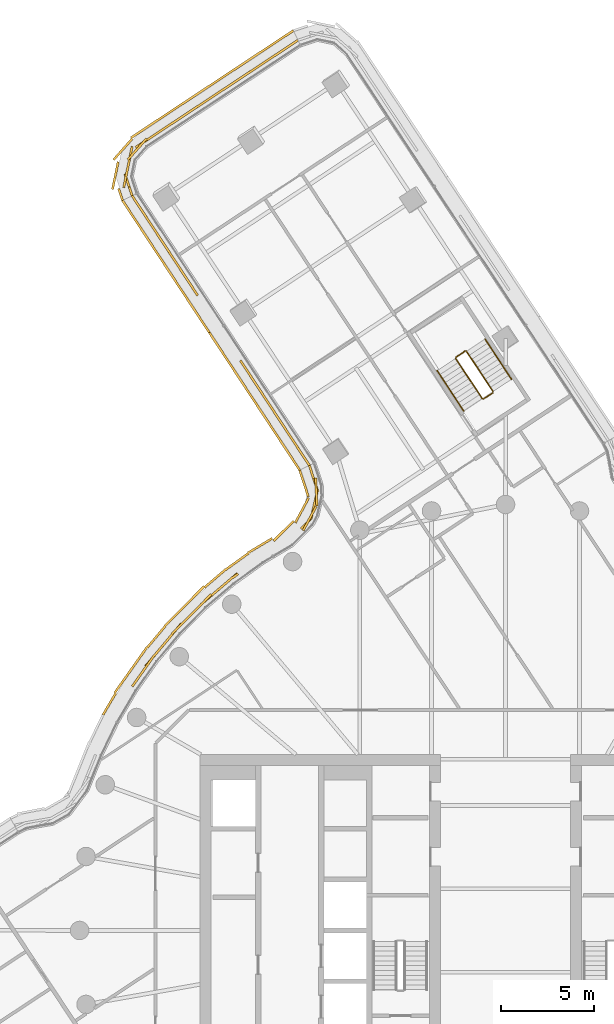
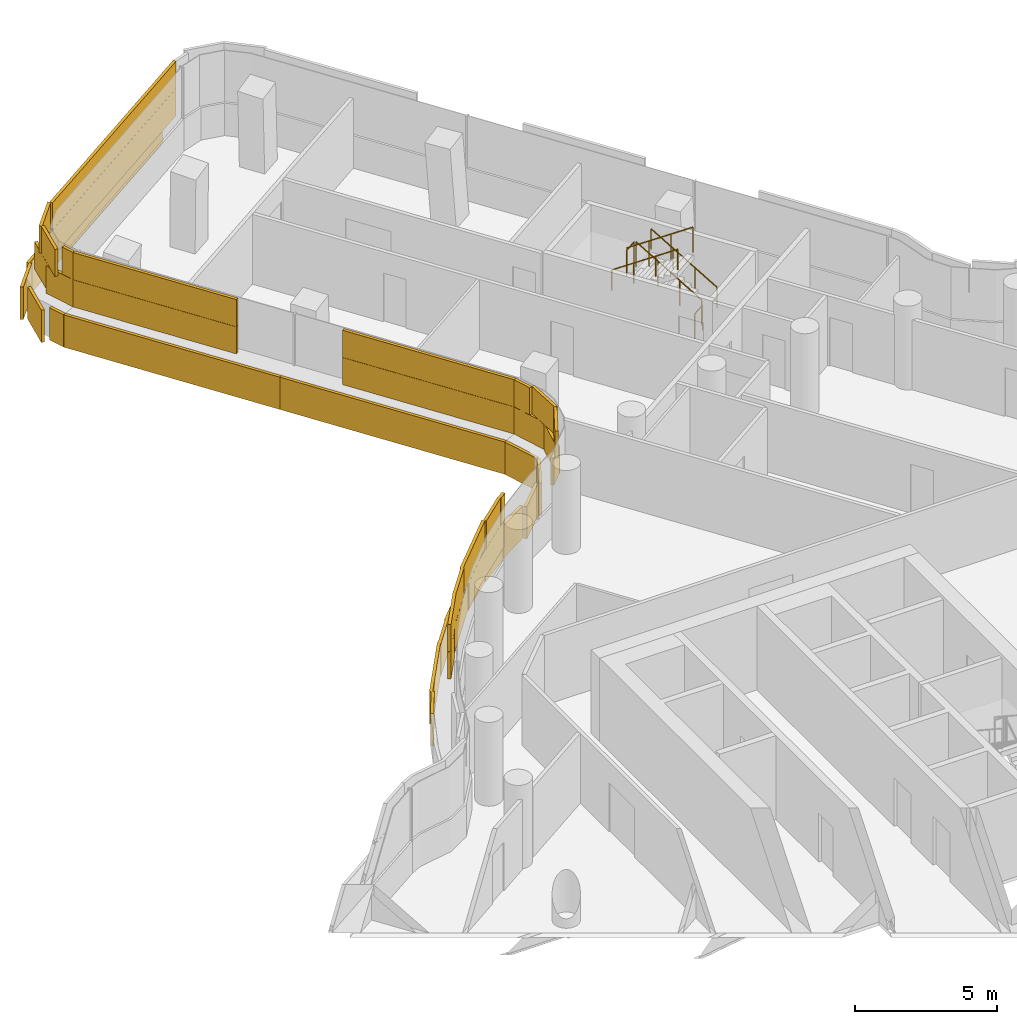
# One storey, part 34 of 35: 6 railings, 4 coverings.
"""IFC4 building model written with IfcOpenShell, lengths in metres."""

from ifc_helpers import new_model, si_unit, direction, frame, origin, origin_2d, place, context, subcontext, project, spatial, rectangle, circle, extrude, material, layer, layer_set, type_object, element, save


model = new_model("IFC4")

# Units and contexts
model_context = context("Model", 3, precision=1e-05, world=origin(), true_north=direction((0.0, 1.0)))
body_context = subcontext(model_context, "Body", "Model", "MODEL_VIEW")
ifc_project = project(units=[si_unit("LENGTHUNIT", "METRE"), si_unit("AREAUNIT", "SQUARE_METRE"), si_unit("VOLUMEUNIT", "CUBIC_METRE"), si_unit("PLANEANGLEUNIT", "RADIAN"), si_unit("MASSUNIT", "GRAM", prefix="KILO")], contexts=[model_context])

# Site, building, storey
site_placement = place(None, origin())
site = spatial("IfcSite", under=ifc_project, at=site_placement, CompositionType="ELEMENT")
building_placement = place(site_placement, origin())
building = spatial("IfcBuilding", under=site, at=building_placement, Name="Tamarind Cross Interchange Tower", CompositionType="ELEMENT")
storey_placement = place(building_placement, frame((0.0, 0.0, 155.5)))
storey = spatial("IfcBuildingStorey", under=building, at=storey_placement, Name="L38", CompositionType="ELEMENT", Elevation=155.5)

# Railings
ifc_material_1 = material(Name="Stair guard")
railing_type_1 = type_object("IfcRailingType", Name="Stair guard", PredefinedType="GUARDRAIL", material=ifc_material_1)
railing_1_placement = place(storey_placement, frame((-0.675537109375, 29.103271484375, 0.17041015625)))
element("IfcRailing", 1, at=railing_1_placement, inside=storey, type_object=railing_type_1, Name="L38 ST4 stair guard 1", PredefinedType="GUARDRAIL", context=body_context, shape_type="SweptSolid", body=[
    extrude(circle(Radius=0.02392578125, at=origin_2d()), frame((0.0, 0.0, 1.076171875), z_axis=(-0.460743527335, 0.697908254206, 0.548306000998), x_axis=(-0.834541188259, -0.550945555476, 0.0)), (0.0, 0.0, 1.0), 3.10888671875),
    extrude(circle(Radius=0.02099609375, at=origin_2d()), origin(), (0.0, 0.0, 1.0), 1.052001953125),
    extrude(circle(Radius=0.02099609375, at=origin_2d()), frame((-0.4775390625, 0.72314453125, 0.568115234375)), (0.0, 0.0, 1.0), 1.052001953125),
    extrude(circle(Radius=0.02099609375, at=origin_2d()), frame((-0.954833984375, 1.446533203125, 1.136474609375)), (0.0, 0.0, 1.0), 1.052001953125),
    extrude(circle(Radius=0.02099609375, at=origin_2d()), frame((-1.432373046875, 2.169677734375, 1.70458984375)), (0.0, 0.0, 1.0), 1.052001953125),
])
railing_2_placement = place(storey_placement, frame((-2.17724609375, 31.287109375, 1.875)))
element("IfcRailing", 2, at=railing_2_placement, inside=storey, type_object=railing_type_1, Name="L38 ST4 stair guard 2", PredefinedType="GUARDRAIL", context=body_context, shape_type="SweptSolid", body=[
    extrude(circle(Radius=0.02392578125, at=origin_2d()), frame((0.0, 0.0, 1.076171875), z_axis=(-0.834545798538, -0.550938572023, 0.0), x_axis=(0.550938572023, -0.834545798538, 0.0)), (0.0, 0.0, 1.0), 0.60009765625),
    extrude(circle(Radius=0.02099609375, at=origin_2d()), origin(), (0.0, 0.0, 1.0), 1.052001953125),
    extrude(circle(Radius=0.02099609375, at=origin_2d()), frame((-0.500732421875, -0.33056640625, 0.0)), (0.0, 0.0, 1.0), 1.052001953125),
])
railing_3_placement = place(storey_placement, frame((-2.692138671875, 30.887451171875, 2.04541015625)))
element("IfcRailing", 3, at=railing_3_placement, inside=storey, type_object=railing_type_1, Name="L38 ST4 stair guard 3", PredefinedType="GUARDRAIL", context=body_context, shape_type="SweptSolid", body=[
    extrude(circle(Radius=0.02392578125, at=origin_2d()), frame((0.0, 0.0, 1.076171875), z_axis=(0.460780131149, -0.697923279764, 0.548256113784), x_axis=(0.834526517484, 0.550967777294, 0.0)), (0.0, 0.0, 1.0), 3.109130859375),
    extrude(circle(Radius=0.02099609375, at=origin_2d()), origin(), (0.0, 0.0, 1.0), 1.052001953125),
    extrude(circle(Radius=0.02099609375, at=origin_2d()), frame((0.4775390625, -0.723388671875, 0.568115234375)), (0.0, 0.0, 1.0), 1.052001953125),
    extrude(circle(Radius=0.02099609375, at=origin_2d()), frame((0.955078125, -1.446533203125, 1.136474609375)), (0.0, 0.0, 1.0), 1.052001953125),
    extrude(circle(Radius=0.02099609375, at=origin_2d()), frame((1.4326171875, -2.169921875, 1.70458984375)), (0.0, 0.0, 1.0), 1.052001953125),
])
railing_4_placement = place(storey_placement, frame((-0.689697265625, 29.033935546875, 0.0)))
element("IfcRailing", 4, at=railing_4_placement, inside=storey, type_object=railing_type_1, Name="L38 ST4 stair guard 4", PredefinedType="GUARDRAIL", context=body_context, shape_type="SweptSolid", body=[
    extrude(circle(Radius=0.02392578125, at=origin_2d()), frame((0.0, 0.0, 1.076171875), z_axis=(-0.834545798538, -0.550938572023, 0.0), x_axis=(0.550938572023, -0.834545798538, 0.0)), (0.0, 0.0, 1.0), 0.60009765625),
    extrude(circle(Radius=0.02099609375, at=origin_2d()), origin(), (0.0, 0.0, 1.0), 1.052001953125),
    extrude(circle(Radius=0.02099609375, at=origin_2d()), frame((-0.500732421875, -0.33056640625, 0.0)), (0.0, 0.0, 1.0), 1.052001953125),
])
ifc_material_2 = material(Name="Stair handrail")
railing_type_2 = type_object("IfcRailingType", Name="Stair handrail", PredefinedType="HANDRAIL", material=ifc_material_2)
railing_5_placement = place(storey_placement, frame((0.325927734375, 29.764404296875, 0.17041015625)))
element("IfcRailing", 5, at=railing_5_placement, inside=storey, type_object=railing_type_2, Name="L38 ST4 stair handrail 1", PredefinedType="HANDRAIL", context=body_context, shape_type="SweptSolid", body=[
    extrude(circle(Radius=0.02392578125, at=origin_2d()), frame((0.0, 0.0, 0.8759765625), z_axis=(-0.460743527335, 0.697908254206, 0.548306000998), x_axis=(-0.834541188259, -0.550945555476, 0.0)), (0.0, 0.0, 1.0), 3.10888671875),
    extrude(circle(Radius=0.02099609375, at=origin_2d()), origin(), (0.0, 0.0, 1.0), 0.851806640625),
    extrude(circle(Radius=0.02099609375, at=origin_2d()), frame((-0.4775390625, 0.72314453125, 0.568115234375)), (0.0, 0.0, 1.0), 0.851806640625),
    extrude(circle(Radius=0.02099609375, at=origin_2d()), frame((-0.954833984375, 1.446533203125, 1.136474609375)), (0.0, 0.0, 1.0), 0.851806640625),
    extrude(circle(Radius=0.02099609375, at=origin_2d()), frame((-1.432373046875, 2.169677734375, 1.70458984375)), (0.0, 0.0, 1.0), 0.851806640625),
])
railing_6_placement = place(storey_placement, frame((-3.693603515625, 30.22607421875, 2.04541015625)))
element("IfcRailing", 6, at=railing_6_placement, inside=storey, type_object=railing_type_2, Name="L38 ST4 stair handrail 2", PredefinedType="HANDRAIL", context=body_context, shape_type="SweptSolid", body=[
    extrude(circle(Radius=0.02392578125, at=origin_2d()), frame((0.0, 0.0, 0.8759765625), z_axis=(0.460805384345, -0.697883001137, 0.548286161127), x_axis=(0.834498011269, 0.551010951967, 0.0)), (0.0, 0.0, 1.0), 3.10888671875),
    extrude(circle(Radius=0.02099609375, at=origin_2d()), origin(), (0.0, 0.0, 1.0), 0.851806640625),
    extrude(circle(Radius=0.02099609375, at=origin_2d()), frame((0.4775390625, -0.72314453125, 0.568115234375)), (0.0, 0.0, 1.0), 0.851806640625),
    extrude(circle(Radius=0.02099609375, at=origin_2d()), frame((0.955078125, -1.446533203125, 1.136474609375)), (0.0, 0.0, 1.0), 0.851806640625),
    extrude(circle(Radius=0.02099609375, at=origin_2d()), frame((1.4326171875, -2.169677734375, 1.70458984375)), (0.0, 0.0, 1.0), 0.851806640625),
])

# Coverings
ifc_material_3 = material(Name="Terracotta", Category="masonry")
ifc_layer = layer(ifc_material_3, 0.1201171875)
ifc_layer_set = layer_set([ifc_layer], Name="Terracotta")
covering_type = type_object("IfcCoveringType", Name="Terracotta baguette screen unit", PredefinedType="MOLDING", material=ifc_layer_set)
covering_1_placement = place(storey_placement, origin())
element("IfcCovering", 7, at=covering_1_placement, inside=storey, type_object=covering_type, Name="SCR-L38-00-00", PredefinedType="MOLDING", context=body_context, shape_type="SweptSolid", body=[
    extrude(rectangle(XDim=1.510009765625, YDim=0.1201171875, at=origin_2d()), frame((-11.831787109375, 47.65625, 1.404052734375), z_axis=(0.0, 0.0, 1.0), x_axis=(-0.834524900963, -0.550970225759, 0.0)), (0.0, 0.0, 1.0), 1.1669921875),
    extrude(rectangle(XDim=1.52001953125, YDim=0.1201171875, at=origin_2d()), frame((-13.083740234375, 46.829833984375, 1.404052734375), z_axis=(0.0, 0.0, 1.0), x_axis=(-0.834524900963, -0.550970225759, 0.0)), (0.0, 0.0, 1.0), 1.1669921875),
    extrude(rectangle(XDim=1.52001953125, YDim=0.1201171875, at=origin_2d()), frame((-14.33544921875, 46.00341796875, 1.404052734375), z_axis=(0.0, 0.0, 1.0), x_axis=(-0.834524900963, -0.550970225759, 0.0)), (0.0, 0.0, 1.0), 1.1669921875),
    extrude(rectangle(XDim=1.52001953125, YDim=0.1201171875, at=origin_2d()), frame((-15.587158203125, 45.1767578125, 1.404052734375), z_axis=(0.0, 0.0, 1.0), x_axis=(-0.834524900963, -0.550970225759, 0.0)), (0.0, 0.0, 1.0), 1.1669921875),
    extrude(rectangle(XDim=1.52001953125, YDim=0.1201171875, at=origin_2d()), frame((-16.8388671875, 44.350341796875, 1.404052734375), z_axis=(0.0, 0.0, 1.0), x_axis=(-0.834524900963, -0.550970225759, 0.0)), (0.0, 0.0, 1.0), 1.1669921875),
    extrude(rectangle(XDim=1.52001953125, YDim=0.1201171875, at=origin_2d()), frame((-18.0908203125, 43.52392578125, 1.404052734375), z_axis=(0.0, 0.0, 1.0), x_axis=(-0.834524900963, -0.550970225759, 0.0)), (0.0, 0.0, 1.0), 1.1669921875),
    extrude(rectangle(XDim=1.52001953125, YDim=0.1201171875, at=origin_2d()), frame((-19.342529296875, 42.697509765625, 1.404052734375), z_axis=(0.0, 0.0, 1.0), x_axis=(-0.834524900963, -0.550970225759, 0.0)), (0.0, 0.0, 1.0), 1.1669921875),
    extrude(rectangle(XDim=1.52001953125, YDim=0.1201171875, at=origin_2d()), frame((-20.312744140625, 41.59326171875, 1.404052734375), z_axis=(0.0, 0.0, 1.0), x_axis=(-0.200503433674, -0.979692999406, 0.0)), (0.0, 0.0, 1.0), 1.1669921875),
    extrude(rectangle(XDim=1.259521484375, YDim=0.1201171875, at=origin_2d()), frame((-20.35791015625, 40.26025390625, 1.404052734375), z_axis=(0.0, 0.0, 1.0), x_axis=(0.316205432595, -0.948690742232, 0.0)), (0.0, 0.0, 1.0), 1.1669921875),
    extrude(rectangle(XDim=0.760009765625, YDim=0.1201171875, at=origin_2d()), frame((-11.518798828125, 47.86279296875, 2.5791015625), z_axis=(0.0, 0.0, 1.0), x_axis=(-0.834524900963, -0.550970225759, 0.0)), (0.0, 0.0, 1.0), 1.1669921875),
    extrude(rectangle(XDim=1.52001953125, YDim=0.1201171875, at=origin_2d()), frame((-12.457763671875, 47.242919921875, 2.5791015625), z_axis=(0.0, 0.0, 1.0), x_axis=(-0.834524900963, -0.550970225759, 0.0)), (0.0, 0.0, 1.0), 1.1669921875),
    extrude(rectangle(XDim=1.52001953125, YDim=0.1201171875, at=origin_2d()), frame((-13.70947265625, 46.41650390625, 2.5791015625), z_axis=(0.0, 0.0, 1.0), x_axis=(-0.834524900963, -0.550970225759, 0.0)), (0.0, 0.0, 1.0), 1.1669921875),
    extrude(rectangle(XDim=1.52001953125, YDim=0.1201171875, at=origin_2d()), frame((-14.96142578125, 45.590087890625, 2.5791015625), z_axis=(0.0, 0.0, 1.0), x_axis=(-0.834524900963, -0.550970225759, 0.0)), (0.0, 0.0, 1.0), 1.1669921875),
    extrude(rectangle(XDim=1.52001953125, YDim=0.1201171875, at=origin_2d()), frame((-16.213134765625, 44.763671875, 2.5791015625), z_axis=(0.0, 0.0, 1.0), x_axis=(-0.834524900963, -0.550970225759, 0.0)), (0.0, 0.0, 1.0), 1.1669921875),
    extrude(rectangle(XDim=1.52001953125, YDim=0.1201171875, at=origin_2d()), frame((-17.46484375, 43.937255859375, 2.5791015625), z_axis=(0.0, 0.0, 1.0), x_axis=(-0.834524900963, -0.550970225759, 0.0)), (0.0, 0.0, 1.0), 1.1669921875),
    extrude(rectangle(XDim=1.52001953125, YDim=0.1201171875, at=origin_2d()), frame((-18.716552734375, 43.110595703125, 2.5791015625), z_axis=(0.0, 0.0, 1.0), x_axis=(-0.834524900963, -0.550970225759, 0.0)), (0.0, 0.0, 1.0), 1.1669921875),
    extrude(rectangle(XDim=1.52001953125, YDim=0.1201171875, at=origin_2d()), frame((-19.886962890625, 42.1904296875, 2.5791015625), z_axis=(0.0, 0.0, 1.0), x_axis=(-0.663487566811, -0.748187308558, 0.0)), (0.0, 0.0, 1.0), 1.1669921875),
    extrude(rectangle(XDim=1.52001953125, YDim=0.1201171875, at=origin_2d()), frame((-20.463134765625, 40.8583984375, 2.5791015625), z_axis=(0.0, 0.0, 1.0), x_axis=(-0.200503433674, -0.979692999406, 0.0)), (0.0, 0.0, 1.0), 1.1669921875),
    extrude(rectangle(XDim=0.509521484375, YDim=0.1201171875, at=origin_2d()), frame((-20.2392578125, 39.904541015625, 2.5791015625), z_axis=(0.0, 0.0, 1.0), x_axis=(0.316205432595, -0.948690742232, 0.0)), (0.0, 0.0, 1.0), 1.1669921875),
    extrude(rectangle(XDim=1.510009765625, YDim=0.1201171875, at=origin_2d()), frame((-12.089111328125, 48.174072265625, 0.00390625), z_axis=(0.0, 0.0, 1.0), x_axis=(-0.834524900963, -0.550970225759, 0.0)), (0.0, 0.0, 1.0), 1.39208984375),
    extrude(rectangle(XDim=1.52001953125, YDim=0.1201171875, at=origin_2d()), frame((-13.3369140625, 47.350341796875, 0.00390625), z_axis=(0.0, 0.0, 1.0), x_axis=(-0.834524900963, -0.550970225759, 0.0)), (0.0, 0.0, 1.0), 1.39208984375),
    extrude(rectangle(XDim=1.52001953125, YDim=0.1201171875, at=origin_2d()), frame((-14.588623046875, 46.52392578125, 0.00390625), z_axis=(0.0, 0.0, 1.0), x_axis=(-0.834524900963, -0.550970225759, 0.0)), (0.0, 0.0, 1.0), 1.39208984375),
    extrude(rectangle(XDim=1.52001953125, YDim=0.1201171875, at=origin_2d()), frame((-15.84033203125, 45.697509765625, 0.00390625), z_axis=(0.0, 0.0, 1.0), x_axis=(-0.834524900963, -0.550970225759, 0.0)), (0.0, 0.0, 1.0), 1.39208984375),
    extrude(rectangle(XDim=1.52001953125, YDim=0.1201171875, at=origin_2d()), frame((-17.09228515625, 44.87109375, 0.00390625), z_axis=(0.0, 0.0, 1.0), x_axis=(-0.834524900963, -0.550970225759, 0.0)), (0.0, 0.0, 1.0), 1.39208984375),
    extrude(rectangle(XDim=1.52001953125, YDim=0.1201171875, at=origin_2d()), frame((-18.343994140625, 44.044677734375, 0.00390625), z_axis=(0.0, 0.0, 1.0), x_axis=(-0.834524900963, -0.550970225759, 0.0)), (0.0, 0.0, 1.0), 1.39208984375),
    extrude(rectangle(XDim=1.52001953125, YDim=0.1201171875, at=origin_2d()), frame((-19.595703125, 43.218017578125, 0.00390625), z_axis=(0.0, 0.0, 1.0), x_axis=(-0.834524900963, -0.550970225759, 0.0)), (0.0, 0.0, 1.0), 1.39208984375),
    extrude(rectangle(XDim=1.52001953125, YDim=0.1201171875, at=origin_2d()), frame((-20.66357421875, 42.1796875, 0.00390625), z_axis=(0.0, 0.0, 1.0), x_axis=(-0.663487566811, -0.748187308558, 0.0)), (0.0, 0.0, 1.0), 1.39208984375),
    extrude(rectangle(XDim=1.52001953125, YDim=0.1201171875, at=origin_2d()), frame((-21.06884765625, 40.76220703125, 0.00390625), z_axis=(0.0, 0.0, 1.0), x_axis=(-0.200503433674, -0.979692999406, 0.0)), (0.0, 0.0, 1.0), 1.39208984375),
    extrude(rectangle(XDim=0.676513671875, YDim=0.1201171875, at=origin_2d()), frame((-20.7880859375, 39.73583984375, 0.00390625), z_axis=(0.0, 0.0, 1.0), x_axis=(0.316205432595, -0.948690742232, 0.0)), (0.0, 0.0, 1.0), 1.39208984375),
])
covering_2_placement = place(storey_placement, origin())
element("IfcCovering", 8, at=covering_2_placement, inside=storey, type_object=covering_type, Name="SCR-L38-01-00", PredefinedType="MOLDING", context=body_context, shape_type="SweptSolid", body=[
    extrude(rectangle(XDim=1.510009765625, YDim=0.1201171875, at=origin_2d()), frame((-19.748291015625, 39.040771484375, 1.404052734375), z_axis=(0.0, 0.0, 1.0), x_axis=(0.549247742562, -0.835659570214, 0.0)), (0.0, 0.0, 1.0), 1.1669921875),
    extrude(rectangle(XDim=1.52001953125, YDim=0.1201171875, at=origin_2d()), frame((-18.924560546875, 37.787353515625, 1.404052734375), z_axis=(0.0, 0.0, 1.0), x_axis=(0.549247742562, -0.835659570214, 0.0)), (0.0, 0.0, 1.0), 1.1669921875),
    extrude(rectangle(XDim=1.52001953125, YDim=0.1201171875, at=origin_2d()), frame((-18.1005859375, 36.53369140625, 1.404052734375), z_axis=(0.0, 0.0, 1.0), x_axis=(0.549247742562, -0.835659570214, 0.0)), (0.0, 0.0, 1.0), 1.1669921875),
    extrude(rectangle(XDim=1.52001953125, YDim=0.1201171875, at=origin_2d()), frame((-17.276611328125, 35.2802734375, 1.404052734375), z_axis=(0.0, 0.0, 1.0), x_axis=(0.549247742562, -0.835659570214, 0.0)), (0.0, 0.0, 1.0), 1.1669921875),
    extrude(rectangle(XDim=0.449462890625, YDim=0.1201171875, at=origin_2d()), frame((-16.744140625, 34.469970703125, 1.404052734375), z_axis=(0.0, 0.0, 1.0), x_axis=(0.549247742562, -0.835659570214, 0.0)), (0.0, 0.0, 1.0), 1.1669921875),
    extrude(rectangle(XDim=0.760009765625, YDim=0.1201171875, at=origin_2d()), frame((-19.954345703125, 39.354248046875, 2.5791015625), z_axis=(0.0, 0.0, 1.0), x_axis=(0.549247742562, -0.835659570214, 0.0)), (0.0, 0.0, 1.0), 1.1669921875),
    extrude(rectangle(XDim=1.52001953125, YDim=0.1201171875, at=origin_2d()), frame((-19.33642578125, 38.4140625, 2.5791015625), z_axis=(0.0, 0.0, 1.0), x_axis=(0.549247742562, -0.835659570214, 0.0)), (0.0, 0.0, 1.0), 1.1669921875),
    extrude(rectangle(XDim=1.52001953125, YDim=0.1201171875, at=origin_2d()), frame((-18.512451171875, 37.16064453125, 2.5791015625), z_axis=(0.0, 0.0, 1.0), x_axis=(0.549247742562, -0.835659570214, 0.0)), (0.0, 0.0, 1.0), 1.1669921875),
    extrude(rectangle(XDim=1.52001953125, YDim=0.1201171875, at=origin_2d()), frame((-17.688720703125, 35.906982421875, 2.5791015625), z_axis=(0.0, 0.0, 1.0), x_axis=(0.549247742562, -0.835659570214, 0.0)), (0.0, 0.0, 1.0), 1.1669921875),
    extrude(rectangle(XDim=1.199462890625, YDim=0.1201171875, at=origin_2d()), frame((-16.949951171875, 34.783203125, 2.5791015625), z_axis=(0.0, 0.0, 1.0), x_axis=(0.549247742562, -0.835659570214, 0.0)), (0.0, 0.0, 1.0), 1.1669921875),
    extrude(rectangle(XDim=1.510009765625, YDim=0.1201171875, at=origin_2d()), frame((-20.266357421875, 38.783935546875, 0.00390625), z_axis=(0.0, 0.0, 1.0), x_axis=(0.549247742562, -0.835659570214, 0.0)), (0.0, 0.0, 1.0), 1.39208984375),
    extrude(rectangle(XDim=1.52001953125, YDim=0.1201171875, at=origin_2d()), frame((-19.4453125, 37.53466796875, 0.00390625), z_axis=(0.0, 0.0, 1.0), x_axis=(0.549247742562, -0.835659570214, 0.0)), (0.0, 0.0, 1.0), 1.39208984375),
    extrude(rectangle(XDim=1.52001953125, YDim=0.1201171875, at=origin_2d()), frame((-18.621337890625, 36.28125, 0.00390625), z_axis=(0.0, 0.0, 1.0), x_axis=(0.549247742562, -0.835659570214, 0.0)), (0.0, 0.0, 1.0), 1.39208984375),
    extrude(rectangle(XDim=1.52001953125, YDim=0.1201171875, at=origin_2d()), frame((-17.797607421875, 35.027587890625, 0.00390625), z_axis=(0.0, 0.0, 1.0), x_axis=(0.549247742562, -0.835659570214, 0.0)), (0.0, 0.0, 1.0), 1.39208984375),
    extrude(rectangle(XDim=1.52001953125, YDim=0.1201171875, at=origin_2d()), frame((-16.9736328125, 33.774169921875, 0.00390625), z_axis=(0.0, 0.0, 1.0), x_axis=(0.549247742562, -0.835659570214, 0.0)), (0.0, 0.0, 1.0), 1.39208984375),
    extrude(rectangle(XDim=1.04833984375, YDim=0.1201171875, at=origin_2d()), frame((-16.279296875, 32.7177734375, 0.00390625), z_axis=(0.0, 0.0, 1.0), x_axis=(0.549247742562, -0.835659570214, 0.0)), (0.0, 0.0, 1.0), 1.39208984375),
])
covering_3_placement = place(storey_placement, origin())
element("IfcCovering", 9, at=covering_3_placement, inside=storey, type_object=covering_type, Name="SCR-L38-01-01", PredefinedType="MOLDING", context=body_context, shape_type="SweptSolid", body=[
    extrude(rectangle(XDim=1.370361328125, YDim=0.1201171875, at=origin_2d()), frame((-13.94287109375, 30.2080078125, 1.404052734375), z_axis=(0.0, 0.0, 1.0), x_axis=(0.549247742562, -0.835659570214, 0.0)), (0.0, 0.0, 1.0), 1.1669921875),
    extrude(rectangle(XDim=1.52001953125, YDim=0.1201171875, at=origin_2d()), frame((-13.157470703125, 29.012939453125, 1.404052734375), z_axis=(0.0, 0.0, 1.0), x_axis=(0.549247742562, -0.835659570214, 0.0)), (0.0, 0.0, 1.0), 1.1669921875),
    extrude(rectangle(XDim=1.52001953125, YDim=0.1201171875, at=origin_2d()), frame((-12.33349609375, 27.75927734375, 1.404052734375), z_axis=(0.0, 0.0, 1.0), x_axis=(0.549247742562, -0.835659570214, 0.0)), (0.0, 0.0, 1.0), 1.1669921875),
    extrude(rectangle(XDim=1.52001953125, YDim=0.1201171875, at=origin_2d()), frame((-11.509521484375, 26.505859375, 1.404052734375), z_axis=(0.0, 0.0, 1.0), x_axis=(0.549247742562, -0.835659570214, 0.0)), (0.0, 0.0, 1.0), 1.1669921875),
    extrude(rectangle(XDim=0.9287109375, YDim=0.1201171875, at=origin_2d()), frame((-10.845458984375, 25.4951171875, 1.404052734375), z_axis=(0.0, 0.0, 1.0), x_axis=(0.549247742562, -0.835659570214, 0.0)), (0.0, 0.0, 1.0), 1.1669921875),
    extrude(rectangle(XDim=0.620361328125, YDim=0.1201171875, at=origin_2d()), frame((-14.14892578125, 30.521484375, 2.5791015625), z_axis=(0.0, 0.0, 1.0), x_axis=(0.549247742562, -0.835659570214, 0.0)), (0.0, 0.0, 1.0), 1.1669921875),
    extrude(rectangle(XDim=1.52001953125, YDim=0.1201171875, at=origin_2d()), frame((-13.5693359375, 29.6396484375, 2.5791015625), z_axis=(0.0, 0.0, 1.0), x_axis=(0.549247742562, -0.835659570214, 0.0)), (0.0, 0.0, 1.0), 1.1669921875),
    extrude(rectangle(XDim=1.52001953125, YDim=0.1201171875, at=origin_2d()), frame((-12.745361328125, 28.385986328125, 2.5791015625), z_axis=(0.0, 0.0, 1.0), x_axis=(0.549247742562, -0.835659570214, 0.0)), (0.0, 0.0, 1.0), 1.1669921875),
    extrude(rectangle(XDim=1.52001953125, YDim=0.1201171875, at=origin_2d()), frame((-11.921630859375, 27.132568359375, 2.5791015625), z_axis=(0.0, 0.0, 1.0), x_axis=(0.549247742562, -0.835659570214, 0.0)), (0.0, 0.0, 1.0), 1.1669921875),
    extrude(rectangle(XDim=1.52001953125, YDim=0.1201171875, at=origin_2d()), frame((-11.09765625, 25.879150390625, 2.5791015625), z_axis=(0.0, 0.0, 1.0), x_axis=(0.549247742562, -0.835659570214, 0.0)), (0.0, 0.0, 1.0), 1.1669921875),
    extrude(rectangle(XDim=0.1787109375, YDim=0.1201171875, at=origin_2d()), frame((-10.639404296875, 25.181884765625, 2.5791015625), z_axis=(0.0, 0.0, 1.0), x_axis=(0.549247742562, -0.835659570214, 0.0)), (0.0, 0.0, 1.0), 1.1669921875),
    extrude(rectangle(XDim=0.4716796875, YDim=0.1201171875, at=origin_2d()), frame((-15.86181640625, 32.08251953125, 0.00390625), z_axis=(0.0, 0.0, 1.0), x_axis=(0.549247742562, -0.835659570214, 0.0)), (0.0, 0.0, 1.0), 1.39208984375),
    extrude(rectangle(XDim=1.52001953125, YDim=0.1201171875, at=origin_2d()), frame((-15.325927734375, 31.26708984375, 0.00390625), z_axis=(0.0, 0.0, 1.0), x_axis=(0.549247742562, -0.835659570214, 0.0)), (0.0, 0.0, 1.0), 1.39208984375),
    extrude(rectangle(XDim=1.52001953125, YDim=0.1201171875, at=origin_2d()), frame((-14.501953125, 30.013671875, 0.00390625), z_axis=(0.0, 0.0, 1.0), x_axis=(0.549247742562, -0.835659570214, 0.0)), (0.0, 0.0, 1.0), 1.39208984375),
    extrude(rectangle(XDim=1.52001953125, YDim=0.1201171875, at=origin_2d()), frame((-13.67822265625, 28.76025390625, 0.00390625), z_axis=(0.0, 0.0, 1.0), x_axis=(0.549247742562, -0.835659570214, 0.0)), (0.0, 0.0, 1.0), 1.39208984375),
    extrude(rectangle(XDim=1.52001953125, YDim=0.1201171875, at=origin_2d()), frame((-12.854248046875, 27.5068359375, 0.00390625), z_axis=(0.0, 0.0, 1.0), x_axis=(0.549247742562, -0.835659570214, 0.0)), (0.0, 0.0, 1.0), 1.39208984375),
    extrude(rectangle(XDim=1.52001953125, YDim=0.1201171875, at=origin_2d()), frame((-12.030517578125, 26.253173828125, 0.00390625), z_axis=(0.0, 0.0, 1.0), x_axis=(0.549247742562, -0.835659570214, 0.0)), (0.0, 0.0, 1.0), 1.39208984375),
    extrude(rectangle(XDim=0.926513671875, YDim=0.1201171875, at=origin_2d()), frame((-11.36962890625, 25.247802734375, 0.00390625), z_axis=(0.0, 0.0, 1.0), x_axis=(0.549247742562, -0.835659570214, 0.0)), (0.0, 0.0, 1.0), 1.39208984375),
])
covering_4_placement = place(storey_placement, origin())
element("IfcCovering", 10, at=covering_4_placement, inside=storey, type_object=covering_type, Name="SCR-L38-02-00", PredefinedType="MOLDING", context=body_context, shape_type="SweptSolid", body=[
    extrude(rectangle(XDim=1.510009765625, YDim=0.1201171875, at=origin_2d()), frame((-10.361328125, 24.39794921875, 1.404052734375), z_axis=(0.0, 0.0, 1.0), x_axis=(0.308899342484, -0.951094735667, 0.0)), (0.0, 0.0, 1.0), 1.1669921875),
    extrude(rectangle(XDim=1.52001953125, YDim=0.1201171875, at=origin_2d()), frame((-10.3408203125, 22.93359375, 1.404052734375), z_axis=(0.0, 0.0, 1.0), x_axis=(-0.22305383759, -0.974806127154, 0.0)), (0.0, 0.0, 1.0), 1.1669921875),
    extrude(rectangle(XDim=0.72705078125, YDim=0.1201171875, at=origin_2d()), frame((-10.79345703125, 21.944580078125, 1.404052734375), z_axis=(0.0, 0.0, 1.0), x_axis=(-0.709362098763, -0.704844247219, 0.0)), (0.0, 0.0, 1.0), 1.1669921875),
    extrude(rectangle(XDim=1.093017578125, YDim=0.1201171875, at=origin_2d()), frame((-14.88427734375, 18.93603515625, 1.404052734375), z_axis=(0.0, 0.0, 1.0), x_axis=(-0.760295606781, -0.64957723968, 0.0)), (0.0, 0.0, 1.0), 1.1669921875),
    extrude(rectangle(XDim=1.52001953125, YDim=0.1201171875, at=origin_2d()), frame((-15.8662109375, 18.096923828125, 1.404052734375), z_axis=(0.0, 0.0, 1.0), x_axis=(-0.760295606781, -0.64957723968, 0.0)), (0.0, 0.0, 1.0), 1.1669921875),
    extrude(rectangle(XDim=1.52001953125, YDim=0.1201171875, at=origin_2d()), frame((-16.9609375, 17.073486328125, 1.404052734375), z_axis=(0.0, 0.0, 1.0), x_axis=(-0.704057148523, -0.710143317658, 0.0)), (0.0, 0.0, 1.0), 1.1669921875),
    extrude(rectangle(XDim=1.52001953125, YDim=0.1201171875, at=origin_2d()), frame((-17.99755859375, 15.990234375, 1.404052734375), z_axis=(0.0, 0.0, 1.0), x_axis=(-0.643009266048, -0.765858396687, 0.0)), (0.0, 0.0, 1.0), 1.1669921875),
    extrude(rectangle(XDim=1.52001953125, YDim=0.1201171875, at=origin_2d()), frame((-18.9619140625, 14.841552734375, 1.404052734375), z_axis=(0.0, 0.0, 1.0), x_axis=(-0.643009266048, -0.765858396687, 0.0)), (0.0, 0.0, 1.0), 1.1669921875),
    extrude(rectangle(XDim=1.308837890625, YDim=0.1201171875, at=origin_2d()), frame((-19.78125, 13.70751953125, 1.404052734375), z_axis=(0.0, 0.0, 1.0), x_axis=(-0.577568978284, -0.816341886298, 0.0)), (0.0, 0.0, 1.0), 1.1669921875),
    extrude(rectangle(XDim=0.760009765625, YDim=0.1201171875, at=origin_2d()), frame((-10.477294921875, 24.754638671875, 2.5791015625), z_axis=(0.0, 0.0, 1.0), x_axis=(0.308899342484, -0.951094735667, 0.0)), (0.0, 0.0, 1.0), 1.1669921875),
    extrude(rectangle(XDim=1.52001953125, YDim=0.1201171875, at=origin_2d()), frame((-10.2177734375, 23.668701171875, 2.5791015625), z_axis=(0.0, 0.0, 1.0), x_axis=(0.044529992122, -0.999008047916, 0.0)), (0.0, 0.0, 1.0), 1.1669921875),
    extrude(rectangle(XDim=1.47705078125, YDim=0.1201171875, at=origin_2d()), frame((-10.57666015625, 22.245849609375, 2.5791015625), z_axis=(0.0, 0.0, 1.0), x_axis=(-0.474536115864, -0.880236033539, 0.0)), (0.0, 0.0, 1.0), 1.1669921875),
    extrude(rectangle(XDim=0.343017578125, YDim=0.1201171875, at=origin_2d()), frame((-14.580810546875, 19.156005859375, 2.5791015625), z_axis=(0.0, 0.0, 1.0), x_axis=(-0.811340475102, -0.584573890505, 0.0)), (0.0, 0.0, 1.0), 1.1669921875),
    extrude(rectangle(XDim=1.52001953125, YDim=0.1201171875, at=origin_2d()), frame((-15.296142578125, 18.584228515625, 2.5791015625), z_axis=(0.0, 0.0, 1.0), x_axis=(-0.760295606781, -0.64957723968, 0.0)), (0.0, 0.0, 1.0), 1.1669921875),
    extrude(rectangle(XDim=1.52001953125, YDim=0.1201171875, at=origin_2d()), frame((-16.43310546875, 17.60595703125, 2.5791015625), z_axis=(0.0, 0.0, 1.0), x_axis=(-0.704057148523, -0.710143317658, 0.0)), (0.0, 0.0, 1.0), 1.1669921875),
    extrude(rectangle(XDim=1.52001953125, YDim=0.1201171875, at=origin_2d()), frame((-17.489013671875, 16.540771484375, 2.5791015625), z_axis=(0.0, 0.0, 1.0), x_axis=(-0.704057148523, -0.710143317658, 0.0)), (0.0, 0.0, 1.0), 1.1669921875),
    extrude(rectangle(XDim=1.52001953125, YDim=0.1201171875, at=origin_2d()), frame((-18.479736328125, 15.416015625, 2.5791015625), z_axis=(0.0, 0.0, 1.0), x_axis=(-0.643009266048, -0.765858396687, 0.0)), (0.0, 0.0, 1.0), 1.1669921875),
    extrude(rectangle(XDim=1.52001953125, YDim=0.1201171875, at=origin_2d()), frame((-19.40625, 14.23779296875, 2.5791015625), z_axis=(0.0, 0.0, 1.0), x_axis=(-0.577568978284, -0.816341886298, 0.0)), (0.0, 0.0, 1.0), 1.1669921875),
    extrude(rectangle(XDim=0.558837890625, YDim=0.1201171875, at=origin_2d()), frame((-19.998046875, 13.4013671875, 2.5791015625), z_axis=(0.0, 0.0, 1.0), x_axis=(-0.577568978284, -0.816341886298, 0.0)), (0.0, 0.0, 1.0), 1.1669921875),
    extrude(rectangle(XDim=1.510009765625, YDim=0.1201171875, at=origin_2d()), frame((-10.8818359375, 24.142578125, 0.00390625), z_axis=(0.0, 0.0, 1.0), x_axis=(0.308899342484, -0.951094735667, 0.0)), (0.0, 0.0, 1.0), 1.39208984375),
    extrude(rectangle(XDim=1.52001953125, YDim=0.1201171875, at=origin_2d()), frame((-10.991943359375, 22.684814453125, 0.00390625), z_axis=(0.0, 0.0, 1.0), x_axis=(-0.474536115864, -0.880236033539, 0.0)), (0.0, 0.0, 1.0), 1.39208984375),
    extrude(rectangle(XDim=1.52001953125, YDim=0.1201171875, at=origin_2d()), frame((-11.982421875, 21.572509765625, 0.00390625), z_axis=(0.0, 0.0, 1.0), x_axis=(-0.709362098763, -0.704844247219, 0.0)), (0.0, 0.0, 1.0), 1.39208984375),
    extrude(rectangle(XDim=1.52001953125, YDim=0.1201171875, at=origin_2d()), frame((-13.253662109375, 20.78125, 0.00390625), z_axis=(0.0, 0.0, 1.0), x_axis=(-0.856667033085, -0.5158697456, 0.0)), (0.0, 0.0, 1.0), 1.39208984375),
    extrude(rectangle(XDim=1.52001953125, YDim=0.1201171875, at=origin_2d()), frame((-14.48779296875, 19.930419921875, 0.00390625), z_axis=(0.0, 0.0, 1.0), x_axis=(-0.811340475102, -0.584573890505, 0.0)), (0.0, 0.0, 1.0), 1.39208984375),
    extrude(rectangle(XDim=1.52001953125, YDim=0.1201171875, at=origin_2d()), frame((-15.675048828125, 19.015380859375, 0.00390625), z_axis=(0.0, 0.0, 1.0), x_axis=(-0.760295606781, -0.64957723968, 0.0)), (0.0, 0.0, 1.0), 1.39208984375),
    extrude(rectangle(XDim=1.52001953125, YDim=0.1201171875, at=origin_2d()), frame((-16.812744140625, 18.038330078125, 0.00390625), z_axis=(0.0, 0.0, 1.0), x_axis=(-0.704057148523, -0.710143317658, 0.0)), (0.0, 0.0, 1.0), 1.39208984375),
    extrude(rectangle(XDim=1.52001953125, YDim=0.1201171875, at=origin_2d()), frame((-17.868896484375, 16.97314453125, 0.00390625), z_axis=(0.0, 0.0, 1.0), x_axis=(-0.704057148523, -0.710143317658, 0.0)), (0.0, 0.0, 1.0), 1.39208984375),
    extrude(rectangle(XDim=1.52001953125, YDim=0.1201171875, at=origin_2d()), frame((-18.86328125, 15.8515625, 0.00390625), z_axis=(0.0, 0.0, 1.0), x_axis=(-0.643009266048, -0.765858396687, 0.0)), (0.0, 0.0, 1.0), 1.39208984375),
    extrude(rectangle(XDim=1.52001953125, YDim=0.1201171875, at=origin_2d()), frame((-19.797119140625, 14.67919921875, 0.00390625), z_axis=(0.0, 0.0, 1.0), x_axis=(-0.577568978284, -0.816341886298, 0.0)), (0.0, 0.0, 1.0), 1.39208984375),
    extrude(rectangle(XDim=1.52001953125, YDim=0.1201171875, at=origin_2d()), frame((-20.66357421875, 13.45458984375, 0.00390625), z_axis=(0.0, 0.0, 1.0), x_axis=(-0.577568978284, -0.816341886298, 0.0)), (0.0, 0.0, 1.0), 1.39208984375),
    extrude(rectangle(XDim=1.36474609375, YDim=0.1201171875, at=origin_2d()), frame((-21.39111328125, 12.232666015625, 0.00390625), z_axis=(0.0, 0.0, 1.0), x_axis=(-0.508183308752, -0.861248933065, 0.0)), (0.0, 0.0, 1.0), 1.39208984375),
])

save(model, "model.ifc")
